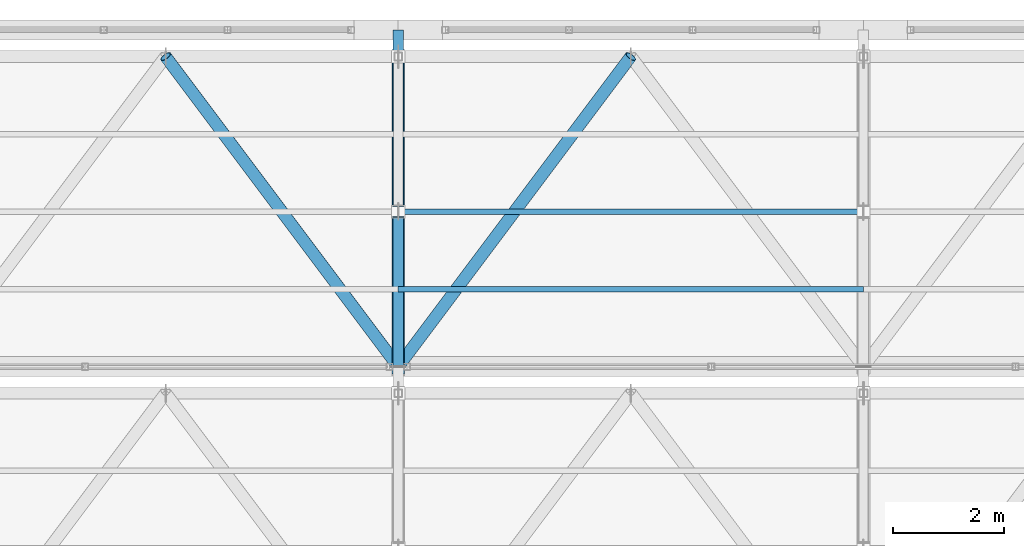
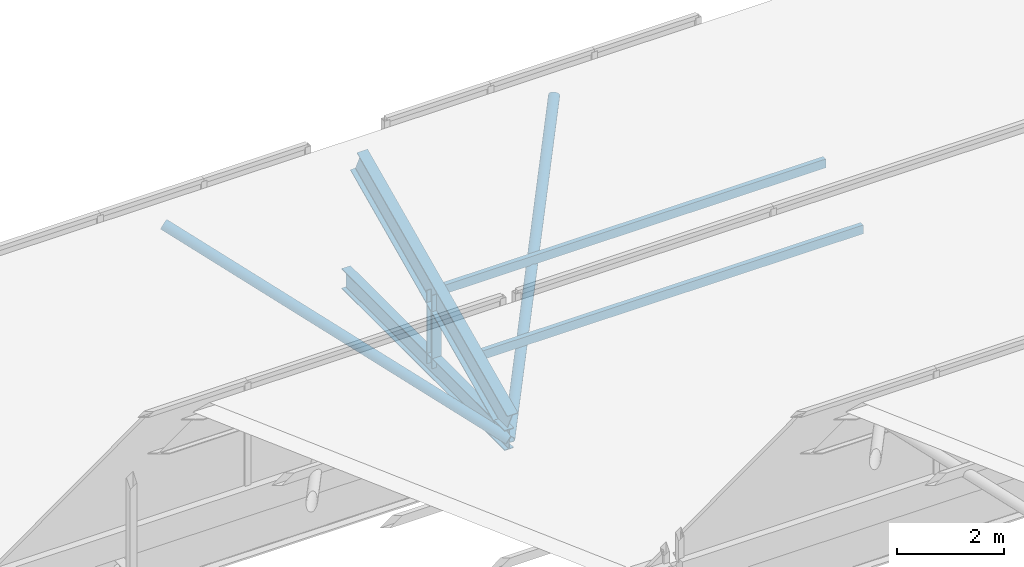
# One storey, part 113 of 217: 7 members.
"""IFC4 building model written with IfcOpenShell, lengths in metres."""

from ifc_helpers import new_model, si_unit, direction, frame, origin, origin_2d, place, context, subcontext, project, spatial, hollow_rectangle, hollow_circle, i_section, extrude, material, material_profile, profile_set, type_object, element, save


model = new_model("IFC4")

# Units and contexts
model_context = context("Model", 3, precision=1e-05, world=origin(), true_north=direction((0.0, 1.0)))
body_context = subcontext(model_context, "Body", "Model", "MODEL_VIEW")
ifc_project = project(units=[si_unit("LENGTHUNIT", "METRE"), si_unit("AREAUNIT", "SQUARE_METRE"), si_unit("VOLUMEUNIT", "CUBIC_METRE"), si_unit("PLANEANGLEUNIT", "RADIAN"), si_unit("MASSUNIT", "GRAM", prefix="KILO")], contexts=[model_context])

# Site, building, storey
site_placement = place(None, origin())
site = spatial("IfcSite", under=ifc_project, at=site_placement, CompositionType="ELEMENT")
building_placement = place(site_placement, origin())
building = spatial("IfcBuilding", under=site, at=building_placement, Name="Zuvorla Pavilion Media Centre", CompositionType="ELEMENT")
storey_placement = place(building_placement, frame((0.0, 0.0, 9.60009765625)))
storey = spatial("IfcBuildingStorey", under=building, at=storey_placement, Name="L02", CompositionType="ELEMENT", Elevation=9.60009765625)

# Members
ifc_material = material(Name="Steel S355", Category="steel")
ifc_material_profile_1 = material_profile(ifc_material, hollow_circle(Radius=0.109619140625, WallThickness=0.010009765625, at=origin_2d()), Name="CHS 219.1x10")
ifc_profile_set_1 = profile_set([ifc_material_profile_1], Name="Steel S355")
member_type_1 = type_object("IfcMemberType", Name="MEM-BRC-CHS219", PredefinedType="BRACE", material=ifc_profile_set_1)
member_1_placement = place(storey_placement, frame((96.199951171875, 119.52001953125, 2.08349609375), z_axis=(0.552511596944, -0.736703540702, -0.389870271191), x_axis=(0.800008370399, 0.599988839305, 0.0)))
element("IfcMember", 1, at=member_1_placement, inside=storey, type_object=member_type_1, Name="L02 diagonal brace TB02 470", PredefinedType="BRACE", context=body_context, shape_type="SweptSolid", body=[
    extrude(hollow_circle(Radius=0.109619140625, WallThickness=0.010009765625, at=origin_2d()), origin(), (0.0, 0.0, 1.0), 7.6015625),
])
member_2_placement = place(storey_placement, frame((100.39990234375, 113.919921875, -0.880126953125), z_axis=(0.552533909139, 0.736690467788, 0.389863352885), x_axis=(-0.79999162962, 0.600011160345, 0.0)))
element("IfcMember", 2, at=member_2_placement, inside=storey, type_object=member_type_1, Name="L02 diagonal brace TB02 475", PredefinedType="BRACE", context=body_context, shape_type="SweptSolid", body=[
    extrude(hollow_circle(Radius=0.109619140625, WallThickness=0.010009765625, at=origin_2d()), origin(), (0.0, 0.0, 1.0), 7.601806640625),
])
ifc_material_profile_2 = material_profile(ifc_material, i_section(OverallWidth=0.19140625, OverallDepth=0.4599609375, WebThickness=0.010009765625, FlangeThickness=0.01611328125, FilletRadius=0.01025390625, at=origin_2d()), Name="UB 457x191x82")
ifc_profile_set_2 = profile_set([ifc_material_profile_2], Name="Steel S355")
member_type_2 = type_object("IfcMemberType", Name="MEM-CHD-UB457", PredefinedType="CHORD", material=ifc_profile_set_2)
member_3_placement = place(storey_placement, frame((100.39990234375, 113.919921875, -0.880126953125), z_axis=(0.0, 1.0, 0.0), x_axis=(-1.0, 0.0, 0.0)))
element("IfcMember", 3, at=member_3_placement, inside=storey, type_object=member_type_2, Name="L02 chord TC03 425", PredefinedType="CHORD", context=body_context, shape_type="SweptSolid", body=[
    extrude(i_section(OverallWidth=0.19140625, OverallDepth=0.4599609375, WebThickness=0.010009765625, FlangeThickness=0.01611328125, FilletRadius=0.01025390625, at=origin_2d()), origin(), (0.0, 0.0, 1.0), 6.080078125),
])
ifc_material_profile_3 = material_profile(ifc_material, i_section(OverallWidth=0.22900390625, OverallDepth=0.6123046875, WebThickness=0.011962890625, FlangeThickness=0.01953125, FilletRadius=0.0126953125, at=origin_2d()), Name="UB 610x229x125")
ifc_profile_set_3 = profile_set([ifc_material_profile_3], Name="Steel S355")
member_type_3 = type_object("IfcMemberType", Name="MEM-CHD-UB610", PredefinedType="CHORD", material=ifc_profile_set_3)
member_4_placement = place(storey_placement, frame((100.39990234375, 113.919921875, -0.5166015625), z_axis=(0.0, 0.907005731366, 0.421118277053), x_axis=(-1.0, 0.0, 0.0)))
element("IfcMember", 4, at=member_4_placement, inside=storey, type_object=member_type_3, Name="L02 chord TC01 426", PredefinedType="CHORD", context=body_context, shape_type="SweptSolid", body=[
    extrude(i_section(OverallWidth=0.22900390625, OverallDepth=0.6123046875, WebThickness=0.011962890625, FlangeThickness=0.01953125, FilletRadius=0.0126953125, at=origin_2d()), origin(), (0.0, 0.0, 1.0), 6.17431640625),
])
ifc_material_profile_4 = material_profile(ifc_material, hollow_rectangle(XDim=0.10009765625, YDim=0.199951171875, WallThickness=0.008056640625, at=origin_2d()), Name="RHS 200x100x8")
ifc_profile_set_4 = profile_set([ifc_material_profile_4], Name="Steel S355")
member_type_4 = type_object("IfcMemberType", Name="MEM-PUR-RHS200", PredefinedType="PURLIN", material=ifc_profile_set_4)
for number, where, z_axis, x_axis, name in (
    (5, (100.39990234375, 115.320068359375, 0.133544921875), (1.0, 0.0, 0.0), (0.0, 1.0, 0.0), "L02 purlin PR01 477"),
    (6, (100.39990234375, 116.719970703125, 0.783447265625), (1.0, 0.0, 0.0), (0.0, 1.0, 0.0), "L02 purlin PR01 478"),
):
    element("IfcMember", number, at=place(storey_placement, frame(where, z_axis=z_axis, x_axis=x_axis)), inside=storey, type_object=member_type_4, Name=name, PredefinedType="PURLIN", context=body_context, shape_type="SweptSolid", body=[
        extrude(hollow_rectangle(XDim=0.10009765625, YDim=0.199951171875, WallThickness=0.008056640625, at=origin_2d()), origin(), (0.0, 0.0, 1.0), 8.400146484375),
    ])
ifc_material_profile_5 = material_profile(ifc_material, i_section(OverallWidth=0.205810546875, OverallDepth=0.209716796875, WebThickness=0.009521484375, FlangeThickness=0.01416015625, FilletRadius=0.01025390625, at=origin_2d()), Name="UC 203x203x60")
ifc_profile_set_5 = profile_set([ifc_material_profile_5], Name="Steel S355")
member_type_5 = type_object("IfcMemberType", Name="MEM-STR-UC203", PredefinedType="STRUT", material=ifc_profile_set_5)
member_5_placement = place(storey_placement, frame((100.39990234375, 116.719970703125, -0.880126953125), z_axis=(0.0, 0.0, 1.0), x_axis=(1.0, 0.0, 0.0)))
element("IfcMember", 7, at=member_5_placement, inside=storey, type_object=member_type_5, Name="L02 vertical strut TS02 429", PredefinedType="STRUT", context=body_context, shape_type="SweptSolid", body=[
    extrude(i_section(OverallWidth=0.205810546875, OverallDepth=0.209716796875, WebThickness=0.009521484375, FlangeThickness=0.01416015625, FilletRadius=0.01025390625, at=origin_2d()), origin(), (0.0, 0.0, 1.0), 1.66357421875),
])

save(model, "model.ifc")
